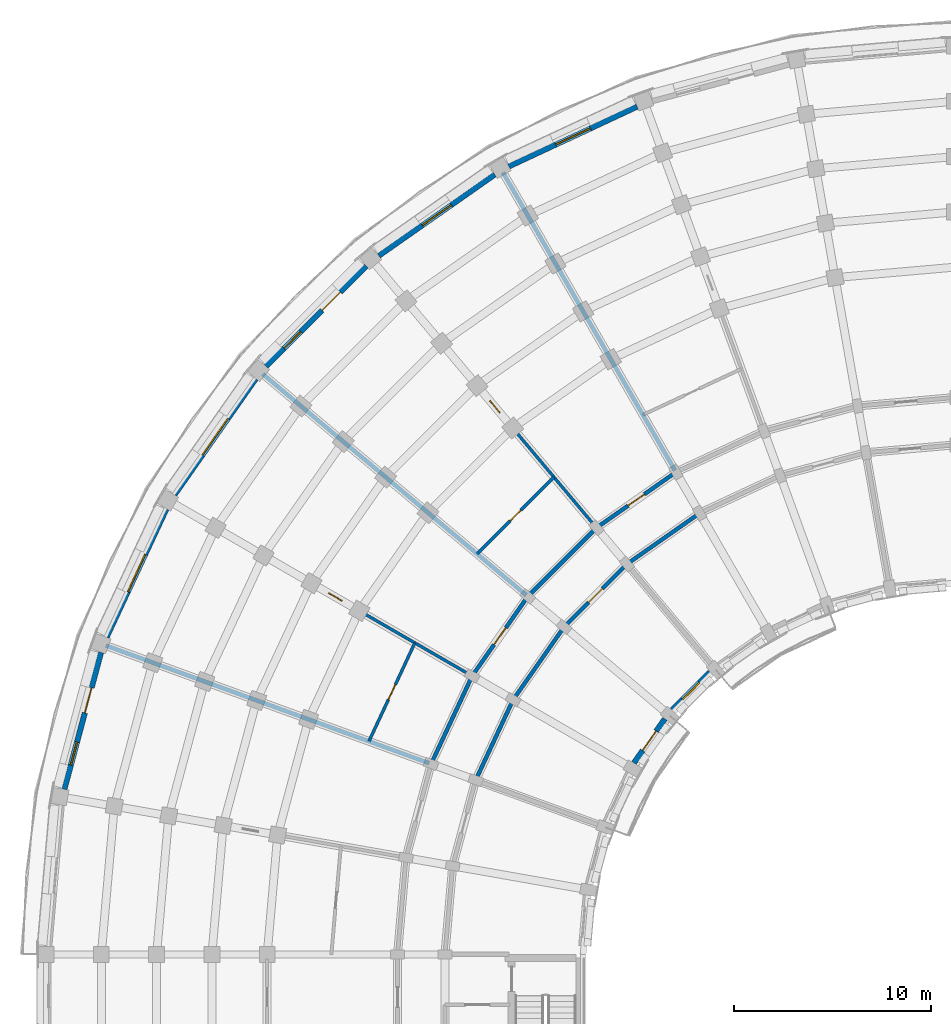
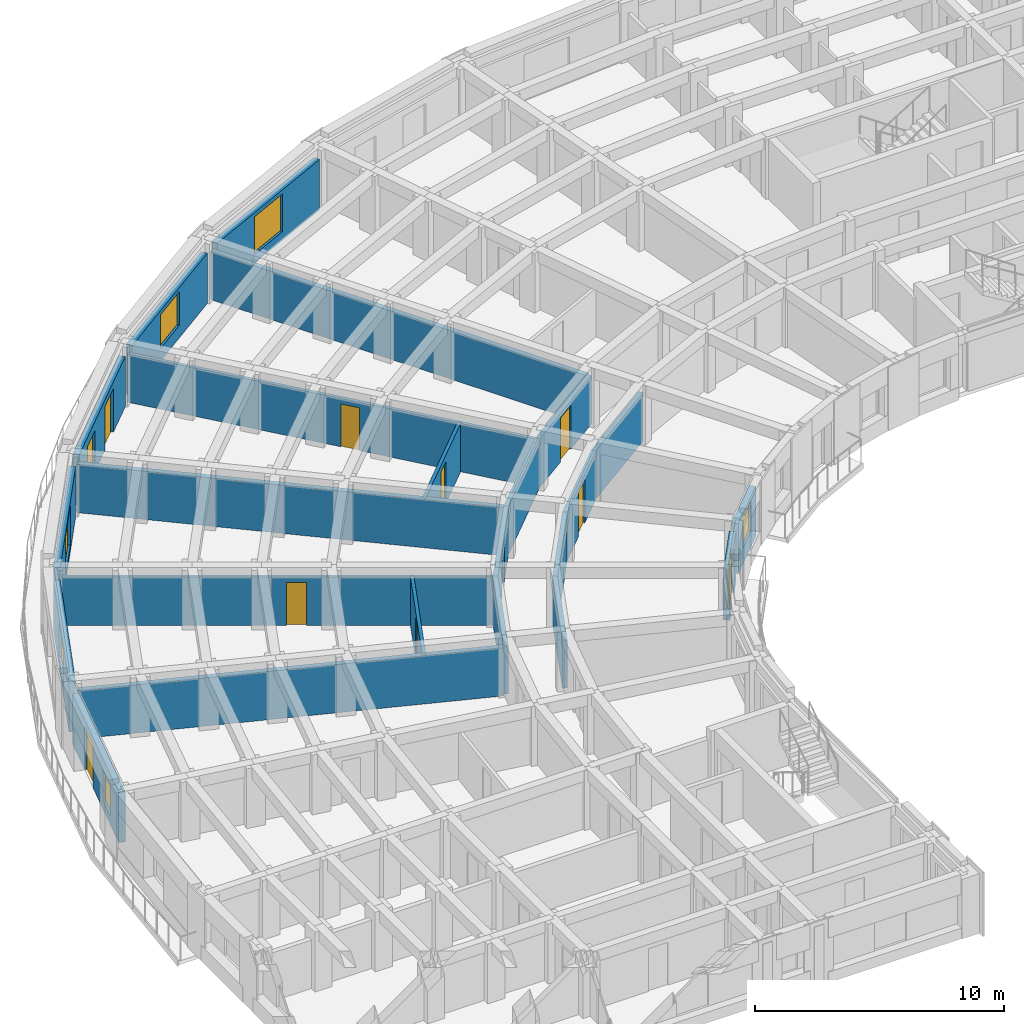
# One storey, part 24 of 54: 23 walls, 10 doors, 7 windows, 17 openings.
"""IFC4 building model written with IfcOpenShell, lengths in metres."""

from ifc_helpers import new_model, si_unit, direction, frame, frame_2d, origin, place, context, subcontext, project, spatial, rectangle, extrude, material, layer, layer_set, type_object, element, fill, save


model = new_model("IFC4")

# Units and contexts
model_context = context("Model", 3, precision=1e-05, world=origin(), true_north=direction((0.0, 1.0)))
body_context = subcontext(model_context, "Body", "Model", "MODEL_VIEW")
ifc_project = project(units=[si_unit("LENGTHUNIT", "METRE"), si_unit("AREAUNIT", "SQUARE_METRE"), si_unit("VOLUMEUNIT", "CUBIC_METRE"), si_unit("PLANEANGLEUNIT", "RADIAN"), si_unit("MASSUNIT", "GRAM", prefix="KILO")], contexts=[model_context])

# Site, building, storey
site_placement = place(None, origin())
site = spatial("IfcSite", under=ifc_project, at=site_placement, CompositionType="ELEMENT")
building_placement = place(site_placement, origin())
building = spatial("IfcBuilding", under=site, at=building_placement, Name="Kiranvali Square Residences", CompositionType="ELEMENT")
storey_placement = place(building_placement, frame((0.0, 0.0, 15.0)))
storey = spatial("IfcBuildingStorey", under=building, at=storey_placement, Name="L04", CompositionType="ELEMENT", Elevation=15.0)

# Wall
ifc_material_1 = material(Name="Autoclaved aerated concrete blockwork masonry", Category="masonry")
ifc_layer_1 = layer(ifc_material_1, 0.199951171875)
ifc_layer_set_1 = layer_set([ifc_layer_1], Name="Autoclaved aerated concrete blockwork masonry")
wall_type_1 = type_object("IfcWallType", Name="WL-COR-200", PredefinedType="STANDARD", material=ifc_layer_set_1)
wall_1_placement = place(storey_placement, frame((35.300048828125, 110.1435546875, 0.0), z_axis=(0.0, 0.0, 1.0), x_axis=(-0.819155404658, -0.573571637217, 0.0)))
element("IfcWall", 1, at=wall_1_placement, inside=storey, type_object=wall_type_1, Name="L04 architectural wall WL-L04-A-CCI-3", PredefinedType="STANDARD", context=body_context, shape_type="SweptSolid", body=[
    extrude(rectangle(XDim=4.497314453125, YDim=0.199951171875, at=frame_2d((2.24853515625, 0.0))), origin(), (0.0, 0.0, 1.0), 2.3720703125),
])

# Wall, opening, door
wall_2_placement = place(storey_placement, frame((34.10009765625, 112.221923828125, 0.0), z_axis=(0.0, 0.0, 1.0), x_axis=(-0.819140911474, -0.573592335331, 0.0)))
wall_2 = element("IfcWall", 2, at=wall_2_placement, inside=storey, type_object=wall_type_1, Name="L04 architectural wall WL-L04-A-CCO-3", PredefinedType="STANDARD", context=body_context, shape_type="SweptSolid", body=[
    extrude(rectangle(XDim=4.915771484375, YDim=0.199951171875, at=frame_2d((2.4580078125, 0.0))), origin(), (0.0, 0.0, 1.0), 2.3720703125),
])
opening_1_placement = place(wall_2_placement, frame((1.957763671875, 0.0, 0.0)))
opening_1 = element("IfcOpeningElement", 3, at=opening_1_placement, cuts=wall_2, Name="Opening FD-APT-60", PredefinedType="OPENING", context=body_context, shape_type="SweptSolid", body=[
    extrude(rectangle(XDim=1.0, YDim=2.14990234375, at=frame_2d((0.5, 1.074951171875))), frame((0.0, 0.10986328125, 0.0), z_axis=(0.0, -1.0, 0.0), x_axis=(1.0, 0.0, 0.0)), (0.0, 0.0, 1.0), 0.219970703125),
])
ifc_material_2 = material(Name="Fire-rated acoustic hardwood and mineral-core door assembly", Category="wood")
door_type_1 = type_object("IfcDoorType", Name="DR-APT-1000", OperationType="NOTDEFINED", PredefinedType="DOOR", material=ifc_material_2)
door_1_placement = place(opening_1_placement, frame((1.0, 0.0, 0.0), z_axis=(0.0, 0.0, 1.0), x_axis=(-1.0, 0.0, 0.0)))
door_1 = element("IfcDoor", 4, at=door_1_placement, inside=storey, type_object=door_type_1, Name="L04 door DR-L04-0310 (DR-APT-1000)", OperationType="SINGLE_SWING_RIGHT", OverallHeight=2.14990234375, OverallWidth=1.0, PredefinedType="DOOR", context=body_context, shape_type="SweptSolid", body=[
    extrude(rectangle(XDim=1.0, YDim=2.14990234375, at=frame_2d((0.5, 1.074951171875))), frame((0.0, 0.02490234375, 0.0), z_axis=(0.0, -1.0, 0.0), x_axis=(1.0, 0.0, 0.0)), (0.0, 0.0, 1.0), 0.050048828125),
])
fill(opening_1, door_1)

wall_3_placement = place(storey_placement, frame((31.615966796875, 107.56396484375, 0.0), z_axis=(0.0, 0.0, 1.0), x_axis=(-0.707106781187, -0.707106781187, 0.0)))
wall_3 = element("IfcWall", 5, at=wall_3_placement, inside=storey, type_object=wall_type_1, Name="L04 architectural wall WL-L04-A-CCI-4", PredefinedType="STANDARD", context=body_context, shape_type="SweptSolid", body=[
    extrude(rectangle(XDim=4.4970703125, YDim=0.199951171875, at=frame_2d((2.24853515625, 0.0))), origin(), (0.0, 0.0, 1.0), 2.3720703125),
])
opening_2_placement = place(wall_3_placement, frame((1.74853515625, 0.0, 0.0)))
opening_2 = element("IfcOpeningElement", 6, at=opening_2_placement, cuts=wall_3, Name="Opening FD-APT-60", PredefinedType="OPENING", context=body_context, shape_type="SweptSolid", body=[
    extrude(rectangle(XDim=1.0, YDim=2.14990234375, at=frame_2d((0.5, 1.074951171875))), frame((0.0, 0.10986328125, 0.0), z_axis=(0.0, -1.0, 0.0), x_axis=(1.0, 0.0, 0.0)), (0.0, 0.0, 1.0), 0.219970703125),
])
door_2_placement = place(opening_2_placement, frame((1.0, 0.0, 0.0), z_axis=(0.0, 0.0, 1.0), x_axis=(-1.0, 0.0, 0.0)))
door_2 = element("IfcDoor", 7, at=door_2_placement, inside=storey, type_object=door_type_1, Name="L04 door DR-L04-0318 (DR-APT-1000)", OperationType="SINGLE_SWING_RIGHT", OverallHeight=2.14990234375, OverallWidth=1.0, PredefinedType="DOOR", context=body_context, shape_type="SweptSolid", body=[
    extrude(rectangle(XDim=1.0, YDim=2.14990234375, at=frame_2d((0.5, 1.074951171875))), frame((0.0, 0.02490234375, 0.0), z_axis=(0.0, -1.0, 0.0), x_axis=(1.0, 0.0, 0.0)), (0.0, 0.0, 1.0), 0.050048828125),
])
fill(opening_2, door_2)

# Walls
wall_4_placement = place(storey_placement, frame((30.073486328125, 109.40234375, 0.0), z_axis=(0.0, 0.0, 1.0), x_axis=(-0.707106781187, -0.707106781187, 0.0)))
element("IfcWall", 8, at=wall_4_placement, inside=storey, type_object=wall_type_1, Name="L04 architectural wall WL-L04-A-CCO-4", PredefinedType="STANDARD", context=body_context, shape_type="SweptSolid", body=[
    extrude(rectangle(XDim=4.91552734375, YDim=0.199951171875, at=frame_2d((2.457763671875, 0.0))), origin(), (0.0, 0.0, 1.0), 2.3720703125),
])
wall_5_placement = place(storey_placement, frame((28.43603515625, 104.384033203125, 0.0), z_axis=(0.0, 0.0, 1.0), x_axis=(-0.573571637217, -0.819155404658, 0.0)))
element("IfcWall", 9, at=wall_5_placement, inside=storey, type_object=wall_type_1, Name="L04 architectural wall WL-L04-A-CCI-5", PredefinedType="STANDARD", context=body_context, shape_type="SweptSolid", body=[
    extrude(rectangle(XDim=4.497314453125, YDim=0.199951171875, at=frame_2d((2.24853515625, 0.0))), origin(), (0.0, 0.0, 1.0), 2.3720703125),
])

# Wall, opening, door
wall_6_placement = place(storey_placement, frame((26.59765625, 105.926513671875, 0.0), z_axis=(0.0, 0.0, 1.0), x_axis=(-0.573592335331, -0.819140911474, 0.0)))
wall_6 = element("IfcWall", 10, at=wall_6_placement, inside=storey, type_object=wall_type_1, Name="L04 architectural wall WL-L04-A-CCO-5", PredefinedType="STANDARD", context=body_context, shape_type="SweptSolid", body=[
    extrude(rectangle(XDim=4.915771484375, YDim=0.199951171875, at=frame_2d((2.4580078125, 0.0))), origin(), (0.0, 0.0, 1.0), 2.3720703125),
])
opening_3_placement = place(wall_6_placement, frame((1.937744140625, 0.0, 0.0)))
opening_3 = element("IfcOpeningElement", 11, at=opening_3_placement, cuts=wall_6, Name="Opening FD-APT-60B", PredefinedType="OPENING", context=body_context, shape_type="SweptSolid", body=[
    extrude(rectangle(XDim=1.0400390625, YDim=2.14990234375, at=frame_2d((0.52001953125, 1.074951171875))), frame((0.0, 0.10986328125, 0.0), z_axis=(0.0, -1.0, 0.0), x_axis=(1.0, 0.0, 0.0)), (0.0, 0.0, 1.0), 0.219970703125),
])
door_type_2 = type_object("IfcDoorType", Name="DR-APT-1040", OperationType="NOTDEFINED", PredefinedType="DOOR", material=ifc_material_2)
door_3_placement = place(opening_3_placement, frame((1.0400390625, 0.0, 0.0), z_axis=(0.0, 0.0, 1.0), x_axis=(-1.0, 0.0, 0.0)))
door_3 = element("IfcDoor", 12, at=door_3_placement, inside=storey, type_object=door_type_2, Name="L04 door DR-L04-0312 (DR-APT-1040)", OperationType="SINGLE_SWING_RIGHT", OverallHeight=2.14990234375, OverallWidth=1.0400390625, PredefinedType="DOOR", context=body_context, shape_type="SweptSolid", body=[
    extrude(rectangle(XDim=1.0400390625, YDim=2.14990234375, at=frame_2d((0.52001953125, 1.074951171875))), frame((0.0, 0.02490234375, 0.0), z_axis=(0.0, -1.0, 0.0), x_axis=(1.0, 0.0, 0.0)), (0.0, 0.0, 1.0), 0.050048828125),
])
fill(opening_3, door_3)

# Walls
wall_7_placement = place(storey_placement, frame((25.8564453125, 100.699951171875, 0.0), z_axis=(0.0, 0.0, 1.0), x_axis=(-0.422617978463, -0.906307919131, 0.0)))
element("IfcWall", 13, at=wall_7_placement, inside=storey, type_object=wall_type_1, Name="L04 architectural wall WL-L04-A-CCI-6", PredefinedType="STANDARD", context=body_context, shape_type="SweptSolid", body=[
    extrude(rectangle(XDim=4.497314453125, YDim=0.199951171875, at=frame_2d((2.24853515625, 0.0))), origin(), (0.0, 0.0, 1.0), 2.3720703125),
])
wall_8_placement = place(storey_placement, frame((23.778076171875, 101.89990234375, 0.0), z_axis=(0.0, 0.0, 1.0), x_axis=(-0.422629854778, -0.906302381024, 0.0)))
element("IfcWall", 14, at=wall_8_placement, inside=storey, type_object=wall_type_1, Name="L04 architectural wall WL-L04-A-CCO-6", PredefinedType="STANDARD", context=body_context, shape_type="SweptSolid", body=[
    extrude(rectangle(XDim=4.915283203125, YDim=0.199951171875, at=frame_2d((2.45751953125, 0.0))), origin(), (0.0, 0.0, 1.0), 2.3720703125),
])
ifc_layer_2 = layer(ifc_material_1, 0.219970703125)
ifc_layer_set_2 = layer_set([ifc_layer_2], Name="Autoclaved aerated concrete blockwork masonry")
wall_type_2 = type_object("IfcWallType", Name="WL-DEM-220", PredefinedType="STANDARD", material=ifc_layer_set_2)
for number, where, z_axis, x_axis, name in (
    (15, (34.050048828125, 112.30859375, 0.0), (0.0, 0.0, 1.0), (-0.499997843263, 0.866026648973, 0.0), "L04 architectural wall WL-L04-A-RADO-3"),
    (16, (26.52099609375, 105.990966796875, 0.0), (0.0, 0.0, 1.0), (-0.766046835987, 0.642784757967, 0.0), "L04 architectural wall WL-L04-A-RADO-5"),
    (17, (21.606689453125, 97.479248046875, 0.0), (0.0, 0.0, 1.0), (-0.939691901159, 0.342022120477, 0.0), "L04 architectural wall WL-L04-A-RADO-7"),
):
    element("IfcWall", number, at=place(storey_placement, frame(where, z_axis=z_axis, x_axis=x_axis)), inside=storey, type_object=wall_type_2, Name=name, PredefinedType="STANDARD", context=body_context, shape_type="SweptSolid", body=[
        extrude(rectangle(XDim=17.419921875, YDim=0.219970703125, at=frame_2d((8.7099609375, 0.0))), origin(), (0.0, 0.0, 1.0), 2.3720703125),
    ])

# Wall, opening, window
ifc_material_3 = material(Name="Breathable lime-rendered clay brick masonry", Category="masonry")
ifc_layer_3 = layer(ifc_material_3, 0.27490234375)
ifc_layer_set_3 = layer_set([ifc_layer_3], Name="Breathable lime-rendered clay brick masonry")
wall_type_3 = type_object("IfcWallType", Name="WL-EXT-275", PredefinedType="STANDARD", material=ifc_layer_set_3)
wall_9_placement = place(storey_placement, frame((32.1328125, 130.732177734375, 0.0), z_axis=(0.0, 0.0, 1.0), x_axis=(-0.906300636296, -0.422633596215, 0.0)))
wall_9 = element("IfcWall", 18, at=wall_9_placement, inside=storey, type_object=wall_type_3, Name="L04 exterior wall A-L04-CRV-02", PredefinedType="STANDARD", context=body_context, shape_type="SweptSolid", body=[
    extrude(rectangle(XDim=7.164306640625, YDim=0.27490234375, at=frame_2d((3.58203125, 0.0))), origin(), (0.0, 0.0, 1.0), 2.471923828125),
])
opening_4_placement = place(wall_9_placement, frame((2.60693359375, 0.0, 0.422119140625)))
opening_4 = element("IfcOpeningElement", 19, at=opening_4_placement, cuts=wall_9, Name="Opening W-12", PredefinedType="OPENING", context=body_context, shape_type="SweptSolid", body=[
    extrude(rectangle(XDim=1.949951171875, YDim=1.85009765625, at=frame_2d((0.97509765625, 0.925048828125))), frame((0.0, 0.1474609375, 0.0), z_axis=(0.0, -1.0, 0.0), x_axis=(1.0, 0.0, 0.0)), (0.0, 0.0, 1.0), 0.294921875),
])
ifc_material_4 = material(Name="Solar-control low-e double glazing", Category="glass")
window_type_1 = type_object("IfcWindowType", Name="WIN-RES-1950x1850", PartitioningType="DOUBLE_PANEL_VERTICAL", PredefinedType="WINDOW", material=ifc_material_4)
window_1_placement = place(opening_4_placement, origin())
window_1 = element("IfcWindow", 20, at=window_1_placement, inside=storey, type_object=window_type_1, Name="L04 recessed window A-L04-CRV-02", OverallHeight=1.85009765625, OverallWidth=1.949951171875, PartitioningType="DOUBLE_PANEL_VERTICAL", PredefinedType="WINDOW", context=body_context, shape_type="SweptSolid", body=[
    extrude(rectangle(XDim=1.949951171875, YDim=1.85009765625, at=frame_2d((0.97509765625, 0.925048828125))), frame((0.0, 0.030029296875, 0.0), z_axis=(0.0, -1.0, 0.0), x_axis=(1.0, 0.0, 0.0)), (0.0, 0.0, 1.0), 0.06005859375),
])
fill(opening_4, window_1)

wall_10_placement = place(storey_placement, frame((24.921875, 127.289794921875, 0.0), z_axis=(0.0, 0.0, 1.0), x_axis=(-0.819161471697, -0.573562972382, 0.0)))
wall_10 = element("IfcWall", 21, at=wall_10_placement, inside=storey, type_object=wall_type_3, Name="L04 exterior wall A-L04-CRV-03", PredefinedType="STANDARD", context=body_context, shape_type="SweptSolid", body=[
    extrude(rectangle(XDim=7.164306640625, YDim=0.27490234375, at=frame_2d((3.58203125, 0.0))), origin(), (0.0, 0.0, 1.0), 2.471923828125),
])
opening_5_placement = place(wall_10_placement, frame((2.68212890625, 0.0, 0.6220703125)))
opening_5 = element("IfcOpeningElement", 22, at=opening_5_placement, cuts=wall_10, Name="Opening W-04", PredefinedType="OPENING", context=body_context, shape_type="SweptSolid", body=[
    extrude(rectangle(XDim=1.800048828125, YDim=1.64990234375, at=frame_2d((0.89990234375, 0.824951171875))), frame((0.0, 0.1474609375, 0.0), z_axis=(0.0, -1.0, 0.0), x_axis=(1.0, 0.0, 0.0)), (0.0, 0.0, 1.0), 0.294921875),
])
window_type_2 = type_object("IfcWindowType", Name="WIN-RES-1800x1650", PartitioningType="DOUBLE_PANEL_VERTICAL", PredefinedType="WINDOW", material=ifc_material_4)
window_2_placement = place(opening_5_placement, origin())
window_2 = element("IfcWindow", 23, at=window_2_placement, inside=storey, type_object=window_type_2, Name="L04 recessed window A-L04-CRV-03", OverallHeight=1.64990234375, OverallWidth=1.800048828125, PartitioningType="DOUBLE_PANEL_VERTICAL", PredefinedType="WINDOW", context=body_context, shape_type="SweptSolid", body=[
    extrude(rectangle(XDim=1.800048828125, YDim=1.64990234375, at=frame_2d((0.89990234375, 0.824951171875))), frame((0.0, 0.030029296875, 0.0), z_axis=(0.0, -1.0, 0.0), x_axis=(1.0, 0.0, 0.0)), (0.0, 0.0, 1.0), 0.06005859375),
])
fill(opening_5, window_2)

# Wall, openings, door, window
wall_11_placement = place(storey_placement, frame((18.418212890625, 122.647705078125, 0.0), z_axis=(0.0, 0.0, 1.0), x_axis=(-0.707106781187, -0.707106781187, 0.0)))
wall_11 = element("IfcWall", 24, at=wall_11_placement, inside=storey, type_object=wall_type_3, Name="L04 exterior wall A-L04-CRV-04", PredefinedType="STANDARD", context=body_context, shape_type="SweptSolid", body=[
    extrude(rectangle(XDim=7.164306640625, YDim=0.27490234375, at=frame_2d((3.58203125, 0.0))), origin(), (0.0, 0.0, 1.0), 2.471923828125),
])
opening_6_placement = place(wall_11_placement, frame((4.6904296875, 0.0, 0.52197265625)))
opening_6 = element("IfcOpeningElement", 25, at=opening_6_placement, cuts=wall_11, Name="Opening W-06", PredefinedType="OPENING", context=body_context, shape_type="SweptSolid", body=[
    extrude(rectangle(XDim=1.199951171875, YDim=1.5, at=frame_2d((0.60009765625, 0.75))), frame((0.0, 0.1474609375, 0.0), z_axis=(0.0, -1.0, 0.0), x_axis=(1.0, 0.0, 0.0)), (0.0, 0.0, 1.0), 0.294921875),
])
opening_7_placement = place(wall_11_placement, frame((1.847412109375, 0.0, 0.0)))
opening_7 = element("IfcOpeningElement", 26, at=opening_7_placement, cuts=wall_11, Name="Opening ED-BAL-3", PredefinedType="OPENING", context=body_context, shape_type="SweptSolid", body=[
    extrude(rectangle(XDim=1.320068359375, YDim=2.14990234375, at=frame_2d((0.66015625, 1.074951171875))), frame((0.0, 0.1474609375, 0.0), z_axis=(0.0, -1.0, 0.0), x_axis=(1.0, 0.0, 0.0)), (0.0, 0.0, 1.0), 0.294921875),
])
ifc_material_5 = material(Name="Anodised bronze aluminium framing", Category="aluminium")
door_type_3 = type_object("IfcDoorType", Name="DR-BAL-1320", OperationType="NOTDEFINED", PredefinedType="DOOR", material=ifc_material_5)
door_4_placement = place(opening_7_placement, frame((1.320068359375, 0.0, 0.0), z_axis=(0.0, 0.0, 1.0), x_axis=(-1.0, 0.0, 0.0)))
door_4 = element("IfcDoor", 27, at=door_4_placement, inside=storey, type_object=door_type_3, Name="L04 balcony terrace door", OperationType="SINGLE_SWING_RIGHT", OverallHeight=2.14990234375, OverallWidth=1.320068359375, PredefinedType="DOOR", context=body_context, shape_type="SweptSolid", body=[
    extrude(rectangle(XDim=1.320068359375, YDim=2.14990234375, at=frame_2d((0.66015625, 1.074951171875))), frame((0.0, 0.02490234375, 0.0), z_axis=(0.0, -1.0, 0.0), x_axis=(1.0, 0.0, 0.0)), (0.0, 0.0, 1.0), 0.050048828125),
])
fill(opening_7, door_4)
window_type_3 = type_object("IfcWindowType", Name="WIN-RES-1200x1500", PartitioningType="SINGLE_PANEL", PredefinedType="WINDOW", material=ifc_material_4)
window_3_placement = place(opening_6_placement, origin())
window_3 = element("IfcWindow", 28, at=window_3_placement, inside=storey, type_object=window_type_3, Name="L04 recessed window A-L04-CRV-04", OverallHeight=1.5, OverallWidth=1.199951171875, PartitioningType="SINGLE_PANEL", PredefinedType="WINDOW", context=body_context, shape_type="SweptSolid", body=[
    extrude(rectangle(XDim=1.199951171875, YDim=1.5, at=frame_2d((0.60009765625, 0.75))), frame((0.0, 0.030029296875, 0.0), z_axis=(0.0, -1.0, 0.0), x_axis=(1.0, 0.0, 0.0)), (0.0, 0.0, 1.0), 0.06005859375),
])
fill(opening_6, window_3)

# Wall, opening, window
wall_12_placement = place(storey_placement, frame((12.8193359375, 116.94677734375, 0.0), z_axis=(0.0, 0.0, 1.0), x_axis=(-0.573562972382, -0.819161471697, 0.0)))
wall_12 = element("IfcWall", 29, at=wall_12_placement, inside=storey, type_object=wall_type_3, Name="L04 exterior wall A-L04-CRV-05", PredefinedType="STANDARD", context=body_context, shape_type="SweptSolid", body=[
    extrude(rectangle(XDim=7.164306640625, YDim=0.27490234375, at=frame_2d((3.58203125, 0.0))), origin(), (0.0, 0.0, 1.0), 2.471923828125),
])
opening_8_placement = place(wall_12_placement, frame((2.45703125, 0.0, 0.322021484375)))
opening_8 = element("IfcOpeningElement", 30, at=opening_8_placement, cuts=wall_12, Name="Opening W-11", PredefinedType="OPENING", context=body_context, shape_type="SweptSolid", body=[
    extrude(rectangle(XDim=2.25, YDim=1.949951171875, at=frame_2d((1.125, 0.97509765625))), frame((0.0, 0.1474609375, 0.0), z_axis=(0.0, -1.0, 0.0), x_axis=(1.0, 0.0, 0.0)), (0.0, 0.0, 1.0), 0.294921875),
])
window_type_4 = type_object("IfcWindowType", Name="WIN-RES-2250x1950", PartitioningType="TRIPLE_PANEL_VERTICAL", PredefinedType="WINDOW", material=ifc_material_4)
window_4_placement = place(opening_8_placement, origin())
window_4 = element("IfcWindow", 31, at=window_4_placement, inside=storey, type_object=window_type_4, Name="L04 recessed window A-L04-CRV-05", OverallHeight=1.949951171875, OverallWidth=2.25, PartitioningType="TRIPLE_PANEL_VERTICAL", PredefinedType="WINDOW", context=body_context, shape_type="SweptSolid", body=[
    extrude(rectangle(XDim=2.25, YDim=1.949951171875, at=frame_2d((1.125, 0.97509765625))), frame((0.0, 0.030029296875, 0.0), z_axis=(0.0, -1.0, 0.0), x_axis=(1.0, 0.0, 0.0)), (0.0, 0.0, 1.0), 0.06005859375),
])
fill(opening_8, window_4)

wall_13_placement = place(storey_placement, frame((8.295654296875, 110.360107421875, 0.0), z_axis=(0.0, 0.0, 1.0), x_axis=(-0.422633596215, -0.906300636296, 0.0)))
wall_13 = element("IfcWall", 32, at=wall_13_placement, inside=storey, type_object=wall_type_3, Name="L04 exterior wall A-L04-CRV-06", PredefinedType="STANDARD", context=body_context, shape_type="SweptSolid", body=[
    extrude(rectangle(XDim=7.164306640625, YDim=0.27490234375, at=frame_2d((3.58203125, 0.0))), origin(), (0.0, 0.0, 1.0), 2.471923828125),
])
opening_9_placement = place(wall_13_placement, frame((2.531982421875, 0.0, 0.471923828125)))
opening_9 = element("IfcOpeningElement", 33, at=opening_9_placement, cuts=wall_13, Name="Opening W-03", PredefinedType="OPENING", context=body_context, shape_type="SweptSolid", body=[
    extrude(rectangle(XDim=2.10009765625, YDim=1.800048828125, at=frame_2d((1.050048828125, 0.89990234375))), frame((0.0, 0.1474609375, 0.0), z_axis=(0.0, -1.0, 0.0), x_axis=(1.0, 0.0, 0.0)), (0.0, 0.0, 1.0), 0.294921875),
])
window_type_5 = type_object("IfcWindowType", Name="WIN-RES-2100x1800", PartitioningType="TRIPLE_PANEL_VERTICAL", PredefinedType="WINDOW", material=ifc_material_4)
window_5_placement = place(opening_9_placement, origin())
window_5 = element("IfcWindow", 34, at=window_5_placement, inside=storey, type_object=window_type_5, Name="L04 recessed window A-L04-CRV-06", OverallHeight=1.800048828125, OverallWidth=2.10009765625, PartitioningType="TRIPLE_PANEL_VERTICAL", PredefinedType="WINDOW", context=body_context, shape_type="SweptSolid", body=[
    extrude(rectangle(XDim=2.10009765625, YDim=1.800048828125, at=frame_2d((1.050048828125, 0.89990234375))), frame((0.0, 0.030029296875, 0.0), z_axis=(0.0, -1.0, 0.0), x_axis=(1.0, 0.0, 0.0)), (0.0, 0.0, 1.0), 0.06005859375),
])
fill(opening_9, window_5)

# Wall, openings, door, window
wall_14_placement = place(storey_placement, frame((4.984375, 103.087890625, 0.0), z_axis=(0.0, 0.0, 1.0), x_axis=(-0.258826933296, -0.965923712619, 0.0)))
wall_14 = element("IfcWall", 35, at=wall_14_placement, inside=storey, type_object=wall_type_3, Name="L04 exterior wall A-L04-CRV-07", PredefinedType="STANDARD", context=body_context, shape_type="SweptSolid", body=[
    extrude(rectangle(XDim=7.1640625, YDim=0.27490234375, at=frame_2d((3.58203125, 0.0))), origin(), (0.0, 0.0, 1.0), 2.471923828125),
])
opening_10_placement = place(wall_14_placement, frame((4.6904296875, 0.0, 0.422119140625)))
opening_10 = element("IfcOpeningElement", 36, at=opening_10_placement, cuts=wall_14, Name="Opening W-06", PredefinedType="OPENING", context=body_context, shape_type="SweptSolid", body=[
    extrude(rectangle(XDim=1.199951171875, YDim=1.5, at=frame_2d((0.60009765625, 0.75))), frame((0.0, 0.1474609375, 0.0), z_axis=(0.0, -1.0, 0.0), x_axis=(1.0, 0.0, 0.0)), (0.0, 0.0, 1.0), 0.294921875),
])
opening_11_placement = place(wall_14_placement, frame((1.847412109375, 0.0, 0.0)))
opening_11 = element("IfcOpeningElement", 37, at=opening_11_placement, cuts=wall_14, Name="Opening ED-BAL-3", PredefinedType="OPENING", context=body_context, shape_type="SweptSolid", body=[
    extrude(rectangle(XDim=1.320068359375, YDim=2.14990234375, at=frame_2d((0.66015625, 1.074951171875))), frame((0.0, 0.1474609375, 0.0), z_axis=(0.0, -1.0, 0.0), x_axis=(1.0, 0.0, 0.0)), (0.0, 0.0, 1.0), 0.294921875),
])
door_5_placement = place(opening_11_placement, frame((1.320068359375, 0.0, 0.0), z_axis=(0.0, 0.0, 1.0), x_axis=(-1.0, 0.0, 0.0)))
door_5 = element("IfcDoor", 38, at=door_5_placement, inside=storey, type_object=door_type_3, Name="L04 balcony terrace door", OperationType="SINGLE_SWING_LEFT", OverallHeight=2.14990234375, OverallWidth=1.320068359375, PredefinedType="DOOR", context=body_context, shape_type="SweptSolid", body=[
    extrude(rectangle(XDim=1.320068359375, YDim=2.14990234375, at=frame_2d((0.66015625, 1.074951171875))), frame((0.0, 0.02490234375, 0.0), z_axis=(0.0, -1.0, 0.0), x_axis=(1.0, 0.0, 0.0)), (0.0, 0.0, 1.0), 0.050048828125),
])
fill(opening_11, door_5)
window_6_placement = place(opening_10_placement, origin())
window_6 = element("IfcWindow", 39, at=window_6_placement, inside=storey, type_object=window_type_3, Name="L04 recessed window A-L04-CRV-07", OverallHeight=1.5, OverallWidth=1.199951171875, PartitioningType="SINGLE_PANEL", PredefinedType="WINDOW", context=body_context, shape_type="SweptSolid", body=[
    extrude(rectangle(XDim=1.199951171875, YDim=1.5, at=frame_2d((0.60009765625, 0.75))), frame((0.0, 0.030029296875, 0.0), z_axis=(0.0, -1.0, 0.0), x_axis=(1.0, 0.0, 0.0)), (0.0, 0.0, 1.0), 0.06005859375),
])
fill(opening_10, window_6)

# Wall, opening, window
wall_15_placement = place(storey_placement, frame((35.829345703125, 102.09228515625, 0.0), z_axis=(0.0, 0.0, 1.0), x_axis=(-0.707106781187, -0.707106781187, 0.0)))
wall_15 = element("IfcWall", 40, at=wall_15_placement, inside=storey, type_object=wall_type_3, Name="L04 exterior wall A-L04-GDN-04", PredefinedType="STANDARD", context=body_context, shape_type="SweptSolid", body=[
    extrude(rectangle(XDim=2.717529296875, YDim=0.27490234375, at=frame_2d((1.35888671875, 0.0))), origin(), (0.0, 0.0, 1.0), 2.471923828125),
])
opening_12_placement = place(wall_15_placement, frame((0.7587890625, 0.0, 0.77197265625)))
opening_12 = element("IfcOpeningElement", 41, at=opening_12_placement, cuts=wall_15, Name="Opening W-06", PredefinedType="OPENING", context=body_context, shape_type="SweptSolid", body=[
    extrude(rectangle(XDim=1.199951171875, YDim=1.5, at=frame_2d((0.60009765625, 0.75))), frame((0.0, 0.1474609375, 0.0), z_axis=(0.0, -1.0, 0.0), x_axis=(1.0, 0.0, 0.0)), (0.0, 0.0, 1.0), 0.294921875),
])
window_7_placement = place(opening_12_placement, origin())
window_7 = element("IfcWindow", 42, at=window_7_placement, inside=storey, type_object=window_type_3, Name="L04 recessed window A-L04-GDN-04", OverallHeight=1.5, OverallWidth=1.199951171875, PartitioningType="SINGLE_PANEL", PredefinedType="WINDOW", context=body_context, shape_type="SweptSolid", body=[
    extrude(rectangle(XDim=1.199951171875, YDim=1.5, at=frame_2d((0.60009765625, 0.75))), frame((0.0, 0.030029296875, 0.0), z_axis=(0.0, -1.0, 0.0), x_axis=(1.0, 0.0, 0.0)), (0.0, 0.0, 1.0), 0.06005859375),
])
fill(opening_12, window_7)

# Wall, opening, door
wall_16_placement = place(storey_placement, frame((33.535400390625, 99.72705078125, 0.0), z_axis=(0.0, 0.0, 1.0), x_axis=(-0.573546755948, -0.81917282593, 0.0)))
wall_16 = element("IfcWall", 43, at=wall_16_placement, inside=storey, type_object=wall_type_3, Name="L04 exterior wall A-L04-GDN-05", PredefinedType="STANDARD", context=body_context, shape_type="SweptSolid", body=[
    extrude(rectangle(XDim=2.717529296875, YDim=0.27490234375, at=frame_2d((1.35888671875, 0.0))), origin(), (0.0, 0.0, 1.0), 2.471923828125),
])
opening_13_placement = place(wall_16_placement, frame((0.7587890625, 0.0, 0.0)))
opening_13 = element("IfcOpeningElement", 44, at=opening_13_placement, cuts=wall_16, Name="Opening ED-BAL-1", PredefinedType="OPENING", context=body_context, shape_type="SweptSolid", body=[
    extrude(rectangle(XDim=1.199951171875, YDim=2.14990234375, at=frame_2d((0.60009765625, 1.074951171875))), frame((0.0, 0.1474609375, 0.0), z_axis=(0.0, -1.0, 0.0), x_axis=(1.0, 0.0, 0.0)), (0.0, 0.0, 1.0), 0.294921875),
])
door_type_4 = type_object("IfcDoorType", Name="DR-BAL-1200", OperationType="NOTDEFINED", PredefinedType="DOOR", material=ifc_material_5)
door_6_placement = place(opening_13_placement, origin())
door_6 = element("IfcDoor", 45, at=door_6_placement, inside=storey, type_object=door_type_4, Name="L04 balcony terrace door", OperationType="SINGLE_SWING_LEFT", OverallHeight=2.14990234375, OverallWidth=1.199951171875, PredefinedType="DOOR", context=body_context, shape_type="SweptSolid", body=[
    extrude(rectangle(XDim=1.199951171875, YDim=2.14990234375, at=frame_2d((0.60009765625, 1.074951171875))), frame((0.0, 0.02490234375, 0.0), z_axis=(0.0, -1.0, 0.0), x_axis=(1.0, 0.0, 0.0)), (0.0, 0.0, 1.0), 0.050048828125),
])
fill(opening_13, door_6)

ifc_material_6 = material(Name="Acoustic gypsum board drylined partition", Category="gypsum")
ifc_layer_4 = layer(ifc_material_6, 0.14990234375)
ifc_layer_set_4 = layer_set([ifc_layer_4], Name="Acoustic gypsum board drylined partition")
wall_type_4 = type_object("IfcWallType", Name="WL-PRT-150", PredefinedType="PARTITIONING", material=ifc_layer_set_4)
wall_17_placement = place(storey_placement, frame((30.009033203125, 109.47900390625, 0.0), z_axis=(0.0, 0.0, 1.0), x_axis=(-0.642784757967, 0.766046835987, 0.0)))
wall_17 = element("IfcWall", 46, at=wall_17_placement, inside=storey, type_object=wall_type_4, Name="L04 architectural wall WL-L04-A-RADO-4", PredefinedType="PARTITIONING", context=body_context, shape_type="SweptSolid", body=[
    extrude(rectangle(XDim=17.419921875, YDim=0.14990234375, at=frame_2d((8.7099609375, 0.0))), origin(), (0.0, 0.0, 1.0), 2.3720703125),
])
opening_14_placement = place(wall_17_placement, frame((7.5, 0.0, 0.0)))
opening_14 = element("IfcOpeningElement", 47, at=opening_14_placement, cuts=wall_17, Name="Opening ID-WET", PredefinedType="OPENING", context=body_context, shape_type="SweptSolid", body=[
    extrude(rectangle(XDim=0.800048828125, YDim=2.10009765625, at=frame_2d((0.39990234375, 1.050048828125))), frame((0.0, 0.0849609375, 0.0), z_axis=(0.0, -1.0, 0.0), x_axis=(1.0, 0.0, 0.0)), (0.0, 0.0, 1.0), 0.169921875),
])
ifc_material_7 = material(Name="Solid seasoned teak hardwood joinery", Category="wood")
door_type_5 = type_object("IfcDoorType", Name="DR-WET-800", OperationType="NOTDEFINED", PredefinedType="DOOR", material=ifc_material_7)
door_7_placement = place(opening_14_placement, frame((0.800048828125, 0.0, 0.0), z_axis=(0.0, 0.0, 1.0), x_axis=(-1.0, 0.0, 0.0)))
door_7 = element("IfcDoor", 48, at=door_7_placement, inside=storey, type_object=door_type_5, Name="L04 door DR-L04-0304 (DR-WET-800)", OperationType="SINGLE_SWING_RIGHT", OverallHeight=2.10009765625, OverallWidth=0.800048828125, PredefinedType="DOOR", context=body_context, shape_type="SweptSolid", body=[
    extrude(rectangle(XDim=0.800048828125, YDim=2.10009765625, at=frame_2d((0.39990234375, 1.050048828125))), frame((0.0, 0.02490234375, 0.0), z_axis=(0.0, -1.0, 0.0), x_axis=(1.0, 0.0, 0.0)), (0.0, 0.0, 1.0), 0.050048828125),
])
fill(opening_14, door_7)

wall_18_placement = place(storey_placement, frame((23.69140625, 101.949951171875, 0.0), z_axis=(0.0, 0.0, 1.0), x_axis=(-0.866026648973, 0.499997843263, 0.0)))
wall_18 = element("IfcWall", 49, at=wall_18_placement, inside=storey, type_object=wall_type_4, Name="L04 architectural wall WL-L04-A-RADO-6", PredefinedType="PARTITIONING", context=body_context, shape_type="SweptSolid", body=[
    extrude(rectangle(XDim=17.419921875, YDim=0.14990234375, at=frame_2d((8.7099609375, 0.0))), origin(), (0.0, 0.0, 1.0), 2.3720703125),
])
opening_15_placement = place(wall_18_placement, frame((7.5, 0.0, 0.0)))
opening_15 = element("IfcOpeningElement", 50, at=opening_15_placement, cuts=wall_18, Name="Opening ID-WET", PredefinedType="OPENING", context=body_context, shape_type="SweptSolid", body=[
    extrude(rectangle(XDim=0.800048828125, YDim=2.10009765625, at=frame_2d((0.39990234375, 1.050048828125))), frame((0.0, 0.0849609375, 0.0), z_axis=(0.0, -1.0, 0.0), x_axis=(1.0, 0.0, 0.0)), (0.0, 0.0, 1.0), 0.169921875),
])
door_8_placement = place(opening_15_placement, origin())
door_8 = element("IfcDoor", 51, at=door_8_placement, inside=storey, type_object=door_type_5, Name="L04 door DR-L04-0305 (DR-WET-800)", OperationType="SINGLE_SWING_LEFT", OverallHeight=2.10009765625, OverallWidth=0.800048828125, PredefinedType="DOOR", context=body_context, shape_type="SweptSolid", body=[
    extrude(rectangle(XDim=0.800048828125, YDim=2.10009765625, at=frame_2d((0.39990234375, 1.050048828125))), frame((0.0, 0.02490234375, 0.0), z_axis=(0.0, -1.0, 0.0), x_axis=(1.0, 0.0, 0.0)), (0.0, 0.0, 1.0), 0.050048828125),
])
fill(opening_15, door_8)

ifc_layer_5 = layer(ifc_material_1, 0.14990234375)
ifc_layer_set_5 = layer_set([ifc_layer_5], Name="Autoclaved aerated concrete blockwork masonry")
wall_type_5 = type_object("IfcWallType", Name="WL-WET-150", PredefinedType="PLUMBINGWALL", material=ifc_layer_set_5)
wall_19_placement = place(storey_placement, frame((27.920166015625, 111.96875, 0.0), z_axis=(0.0, 0.0, 1.0), x_axis=(-0.707106781187, -0.707106781187, 0.0)))
wall_19 = element("IfcWall", 52, at=wall_19_placement, inside=storey, type_object=wall_type_5, Name="L04 architectural wall WL-L04-A-CWET-4", PredefinedType="PLUMBINGWALL", context=body_context, shape_type="SweptSolid", body=[
    extrude(rectangle(XDim=5.499755859375, YDim=0.14990234375, at=frame_2d((2.75, 0.0))), origin(), (0.0, 0.0, 1.0), 2.3720703125),
])
opening_16_placement = place(wall_19_placement, frame((2.369873046875, 0.0, 0.0)))
opening_16 = element("IfcOpeningElement", 53, at=opening_16_placement, cuts=wall_19, Name="Opening ID-WET0", PredefinedType="OPENING", context=body_context, shape_type="SweptSolid", body=[
    extrude(rectangle(XDim=0.760009765625, YDim=2.050048828125, at=frame_2d((0.3798828125, 1.02490234375))), frame((0.0, 0.0849609375, 0.0), z_axis=(0.0, -1.0, 0.0), x_axis=(1.0, 0.0, 0.0)), (0.0, 0.0, 1.0), 0.169921875),
])
door_type_6 = type_object("IfcDoorType", Name="DR-WET-760", OperationType="NOTDEFINED", PredefinedType="DOOR", material=ifc_material_7)
door_9_placement = place(opening_16_placement, origin())
door_9 = element("IfcDoor", 54, at=door_9_placement, inside=storey, type_object=door_type_6, Name="L04 door DR-L04-0311 (DR-WET-760)", OperationType="SINGLE_SWING_LEFT", OverallHeight=2.050048828125, OverallWidth=0.760009765625, PredefinedType="DOOR", context=body_context, shape_type="SweptSolid", body=[
    extrude(rectangle(XDim=0.760009765625, YDim=2.050048828125, at=frame_2d((0.3798828125, 1.02490234375))), frame((0.0, 0.02490234375, 0.0), z_axis=(0.0, -1.0, 0.0), x_axis=(1.0, 0.0, 0.0)), (0.0, 0.0, 1.0), 0.050048828125),
])
fill(opening_16, door_9)

wall_20_placement = place(storey_placement, frame((20.876953125, 103.574951171875, 0.0), z_axis=(0.0, 0.0, 1.0), x_axis=(-0.422630264446, -0.906302189986, 0.0)))
wall_20 = element("IfcWall", 55, at=wall_20_placement, inside=storey, type_object=wall_type_5, Name="L04 architectural wall WL-L04-A-CWET-6", PredefinedType="PLUMBINGWALL", context=body_context, shape_type="SweptSolid", body=[
    extrude(rectangle(XDim=5.49951171875, YDim=0.14990234375, at=frame_2d((2.749755859375, 0.0))), origin(), (0.0, 0.0, 1.0), 2.3720703125),
])
opening_17_placement = place(wall_20_placement, frame((2.329833984375, 0.0, 0.0)))
opening_17 = element("IfcOpeningElement", 56, at=opening_17_placement, cuts=wall_20, Name="Opening ID-WET2", PredefinedType="OPENING", context=body_context, shape_type="SweptSolid", body=[
    extrude(rectangle(XDim=0.840087890625, YDim=2.10009765625, at=frame_2d((0.419921875, 1.050048828125))), frame((0.0, 0.0849609375, 0.0), z_axis=(0.0, -1.0, 0.0), x_axis=(1.0, 0.0, 0.0)), (0.0, 0.0, 1.0), 0.169921875),
])
door_type_7 = type_object("IfcDoorType", Name="DR-WET-840", OperationType="NOTDEFINED", PredefinedType="DOOR", material=ifc_material_7)
door_10_placement = place(opening_17_placement, origin())
door_10 = element("IfcDoor", 57, at=door_10_placement, inside=storey, type_object=door_type_7, Name="L04 door DR-L04-0313 (DR-WET-840)", OperationType="SINGLE_SWING_LEFT", OverallHeight=2.10009765625, OverallWidth=0.840087890625, PredefinedType="DOOR", context=body_context, shape_type="SweptSolid", body=[
    extrude(rectangle(XDim=0.840087890625, YDim=2.10009765625, at=frame_2d((0.419921875, 1.050048828125))), frame((0.0, 0.02490234375, 0.0), z_axis=(0.0, -1.0, 0.0), x_axis=(1.0, 0.0, 0.0)), (0.0, 0.0, 1.0), 0.050048828125),
])
fill(opening_17, door_10)

save(model, "model.ifc")
